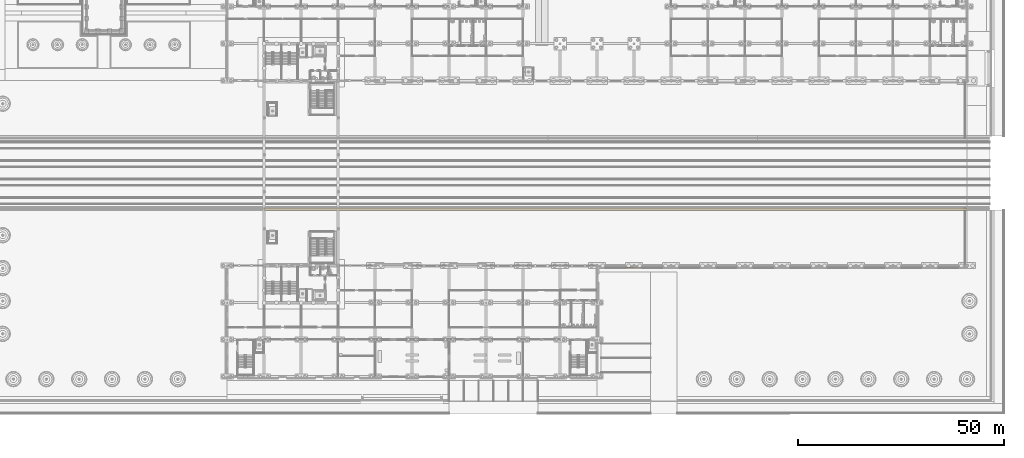
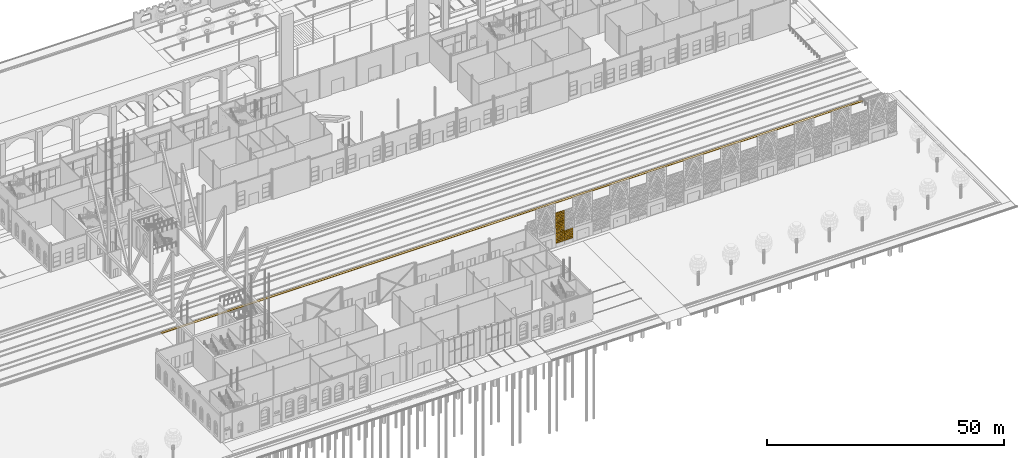
# One storey, part 187 of 250: 4 shading devices, 1 covering.
"""IFC4 building model written with IfcOpenShell, lengths in metres."""

from ifc_helpers import new_model, si_unit, direction, frame, origin, place, context, subcontext, project, spatial, polyline, outline, extrude, material, layer, layer_set, type_object, element, save


model = new_model("IFC4")

# Units and contexts
model_context = context("Model", 3, precision=1e-05, world=origin(), true_north=direction((0.0, 1.0)))
body_context = subcontext(model_context, "Body", "Model", "MODEL_VIEW")
ifc_project = project(units=[si_unit("LENGTHUNIT", "METRE"), si_unit("AREAUNIT", "SQUARE_METRE"), si_unit("VOLUMEUNIT", "CUBIC_METRE"), si_unit("PLANEANGLEUNIT", "RADIAN"), si_unit("MASSUNIT", "GRAM", prefix="KILO")], contexts=[model_context])

# Site, building, storey
site_placement = place(None, origin())
site = spatial("IfcSite", under=ifc_project, at=site_placement, CompositionType="ELEMENT")
building_placement = place(site_placement, origin())
building = spatial("IfcBuilding", under=site, at=building_placement, Name="Baradari Gate Terminus", CompositionType="ELEMENT")
storey_placement = place(building_placement, origin())
storey = spatial("IfcBuildingStorey", under=building, at=storey_placement, Name="L00", CompositionType="ELEMENT", Elevation=0.0)

# Shading devices
ifc_material_1 = material(Name="Concrete C50/60 precast", Category="concrete")
ifc_layer_1 = layer(ifc_material_1, 0.1201171875)
ifc_layer_set_1 = layer_set([ifc_layer_1], Name="Concrete C50/60 precast")
shading_device_type = type_object("IfcShadingDeviceType", Name="Jali screen panel JS-2 120", PredefinedType="SHUTTER", material=ifc_layer_set_1)
shading_device_1_placement = place(storey_placement, frame((159.89990234375, 35.52001953125, 0.89990234375), z_axis=(0.0, 0.0, 1.0), x_axis=(1.0, 0.0, 0.0)))
element("IfcShadingDevice", 1, at=shading_device_1_placement, inside=storey, type_object=shading_device_type, Name="Jali screen panel JS-2 SC00c row 1 panel 1", PredefinedType="SHUTTER", context=body_context, shape_type="SweptSolid", body=[
    extrude(outline(polyline([(0.0, 0.0), (2.10009765625, 0.0), (2.10009765625, 2.625), (0.0, 2.625), (0.0, 0.0)]), holes=[polyline([(0.340087890625, 0.21875), (0.27490234375, 0.106201171875), (0.14501953125, 0.106201171875), (0.080078125, 0.21875), (0.14501953125, 0.33154296875), (0.27490234375, 0.33154296875), (0.340087890625, 0.21875)]), polyline([(0.760009765625, 0.21875), (0.695068359375, 0.106201171875), (0.56494140625, 0.106201171875), (0.5, 0.21875), (0.56494140625, 0.33154296875), (0.695068359375, 0.33154296875), (0.760009765625, 0.21875)]), polyline([(1.179931640625, 0.21875), (1.114990234375, 0.106201171875), (0.985107421875, 0.106201171875), (0.919921875, 0.21875), (0.985107421875, 0.33154296875), (1.114990234375, 0.33154296875), (1.179931640625, 0.21875)]), polyline([(1.60009765625, 0.21875), (1.534912109375, 0.106201171875), (1.405029296875, 0.106201171875), (1.340087890625, 0.21875), (1.405029296875, 0.33154296875), (1.534912109375, 0.33154296875), (1.60009765625, 0.21875)]), polyline([(2.02001953125, 0.21875), (1.955078125, 0.106201171875), (1.824951171875, 0.106201171875), (1.760009765625, 0.21875), (1.824951171875, 0.33154296875), (1.955078125, 0.33154296875), (2.02001953125, 0.21875)]), polyline([(0.550048828125, 0.65625), (0.485107421875, 0.543701171875), (0.35498046875, 0.543701171875), (0.2900390625, 0.65625), (0.35498046875, 0.76904296875), (0.485107421875, 0.76904296875), (0.550048828125, 0.65625)]), polyline([(0.969970703125, 0.65625), (0.905029296875, 0.543701171875), (0.77490234375, 0.543701171875), (0.7099609375, 0.65625), (0.77490234375, 0.76904296875), (0.905029296875, 0.76904296875), (0.969970703125, 0.65625)]), polyline([(1.389892578125, 0.65625), (1.324951171875, 0.543701171875), (1.195068359375, 0.543701171875), (1.1298828125, 0.65625), (1.195068359375, 0.76904296875), (1.324951171875, 0.76904296875), (1.389892578125, 0.65625)]), polyline([(1.81005859375, 0.65625), (1.7451171875, 0.543701171875), (1.614990234375, 0.543701171875), (1.550048828125, 0.65625), (1.614990234375, 0.76904296875), (1.7451171875, 0.76904296875), (1.81005859375, 0.65625)]), polyline([(0.340087890625, 1.09375), (0.27490234375, 0.981201171875), (0.14501953125, 0.981201171875), (0.080078125, 1.09375), (0.14501953125, 1.20654296875), (0.27490234375, 1.20654296875), (0.340087890625, 1.09375)]), polyline([(0.760009765625, 1.09375), (0.695068359375, 0.981201171875), (0.56494140625, 0.981201171875), (0.5, 1.09375), (0.56494140625, 1.20654296875), (0.695068359375, 1.20654296875), (0.760009765625, 1.09375)]), polyline([(1.179931640625, 1.09375), (1.114990234375, 0.981201171875), (0.985107421875, 0.981201171875), (0.919921875, 1.09375), (0.985107421875, 1.20654296875), (1.114990234375, 1.20654296875), (1.179931640625, 1.09375)]), polyline([(1.60009765625, 1.09375), (1.534912109375, 0.981201171875), (1.405029296875, 0.981201171875), (1.340087890625, 1.09375), (1.405029296875, 1.20654296875), (1.534912109375, 1.20654296875), (1.60009765625, 1.09375)]), polyline([(2.02001953125, 1.09375), (1.955078125, 0.981201171875), (1.824951171875, 0.981201171875), (1.760009765625, 1.09375), (1.824951171875, 1.20654296875), (1.955078125, 1.20654296875), (2.02001953125, 1.09375)]), polyline([(0.550048828125, 1.53125), (0.485107421875, 1.418701171875), (0.35498046875, 1.418701171875), (0.2900390625, 1.53125), (0.35498046875, 1.64404296875), (0.485107421875, 1.64404296875), (0.550048828125, 1.53125)]), polyline([(0.969970703125, 1.53125), (0.905029296875, 1.418701171875), (0.77490234375, 1.418701171875), (0.7099609375, 1.53125), (0.77490234375, 1.64404296875), (0.905029296875, 1.64404296875), (0.969970703125, 1.53125)]), polyline([(1.389892578125, 1.53125), (1.324951171875, 1.418701171875), (1.195068359375, 1.418701171875), (1.1298828125, 1.53125), (1.195068359375, 1.64404296875), (1.324951171875, 1.64404296875), (1.389892578125, 1.53125)]), polyline([(1.81005859375, 1.53125), (1.7451171875, 1.418701171875), (1.614990234375, 1.418701171875), (1.550048828125, 1.53125), (1.614990234375, 1.64404296875), (1.7451171875, 1.64404296875), (1.81005859375, 1.53125)]), polyline([(0.340087890625, 1.96875), (0.27490234375, 1.856201171875), (0.14501953125, 1.856201171875), (0.080078125, 1.96875), (0.14501953125, 2.08154296875), (0.27490234375, 2.08154296875), (0.340087890625, 1.96875)]), polyline([(0.760009765625, 1.96875), (0.695068359375, 1.856201171875), (0.56494140625, 1.856201171875), (0.5, 1.96875), (0.56494140625, 2.08154296875), (0.695068359375, 2.08154296875), (0.760009765625, 1.96875)]), polyline([(1.179931640625, 1.96875), (1.114990234375, 1.856201171875), (0.985107421875, 1.856201171875), (0.919921875, 1.96875), (0.985107421875, 2.08154296875), (1.114990234375, 2.08154296875), (1.179931640625, 1.96875)]), polyline([(1.60009765625, 1.96875), (1.534912109375, 1.856201171875), (1.405029296875, 1.856201171875), (1.340087890625, 1.96875), (1.405029296875, 2.08154296875), (1.534912109375, 2.08154296875), (1.60009765625, 1.96875)]), polyline([(2.02001953125, 1.96875), (1.955078125, 1.856201171875), (1.824951171875, 1.856201171875), (1.760009765625, 1.96875), (1.824951171875, 2.08154296875), (1.955078125, 2.08154296875), (2.02001953125, 1.96875)]), polyline([(0.550048828125, 2.40625), (0.485107421875, 2.293701171875), (0.35498046875, 2.293701171875), (0.2900390625, 2.40625), (0.35498046875, 2.51904296875), (0.485107421875, 2.51904296875), (0.550048828125, 2.40625)]), polyline([(0.969970703125, 2.40625), (0.905029296875, 2.293701171875), (0.77490234375, 2.293701171875), (0.7099609375, 2.40625), (0.77490234375, 2.51904296875), (0.905029296875, 2.51904296875), (0.969970703125, 2.40625)]), polyline([(1.389892578125, 2.40625), (1.324951171875, 2.293701171875), (1.195068359375, 2.293701171875), (1.1298828125, 2.40625), (1.195068359375, 2.51904296875), (1.324951171875, 2.51904296875), (1.389892578125, 2.40625)]), polyline([(1.81005859375, 2.40625), (1.7451171875, 2.293701171875), (1.614990234375, 2.293701171875), (1.550048828125, 2.40625), (1.614990234375, 2.51904296875), (1.7451171875, 2.51904296875), (1.81005859375, 2.40625)])]), frame((0.0, 0.06005859375, 0.0), z_axis=(0.0, -1.0, 0.0), x_axis=(1.0, 0.0, 0.0)), (0.0, 0.0, 1.0), 0.1201171875),
])
shading_device_2_placement = place(storey_placement, frame((159.89990234375, 35.52001953125, 3.52490234375), z_axis=(0.0, 0.0, 1.0), x_axis=(1.0, 0.0, 0.0)))
element("IfcShadingDevice", 2, at=shading_device_2_placement, inside=storey, type_object=shading_device_type, Name="Jali screen panel JS-2 SC00c row 2 panel 1", PredefinedType="SHUTTER", context=body_context, shape_type="SweptSolid", body=[
    extrude(outline(polyline([(0.0, 0.0), (2.10009765625, 0.0), (2.10009765625, 2.625), (0.0, 2.625), (0.0, 0.0)]), holes=[polyline([(0.340087890625, 0.21875), (0.27490234375, 0.106201171875), (0.14501953125, 0.106201171875), (0.080078125, 0.21875), (0.14501953125, 0.33154296875), (0.27490234375, 0.33154296875), (0.340087890625, 0.21875)]), polyline([(0.760009765625, 0.21875), (0.695068359375, 0.106201171875), (0.56494140625, 0.106201171875), (0.5, 0.21875), (0.56494140625, 0.33154296875), (0.695068359375, 0.33154296875), (0.760009765625, 0.21875)]), polyline([(1.179931640625, 0.21875), (1.114990234375, 0.106201171875), (0.985107421875, 0.106201171875), (0.919921875, 0.21875), (0.985107421875, 0.33154296875), (1.114990234375, 0.33154296875), (1.179931640625, 0.21875)]), polyline([(1.60009765625, 0.21875), (1.534912109375, 0.106201171875), (1.405029296875, 0.106201171875), (1.340087890625, 0.21875), (1.405029296875, 0.33154296875), (1.534912109375, 0.33154296875), (1.60009765625, 0.21875)]), polyline([(2.02001953125, 0.21875), (1.955078125, 0.106201171875), (1.824951171875, 0.106201171875), (1.760009765625, 0.21875), (1.824951171875, 0.33154296875), (1.955078125, 0.33154296875), (2.02001953125, 0.21875)]), polyline([(0.550048828125, 0.65625), (0.485107421875, 0.543701171875), (0.35498046875, 0.543701171875), (0.2900390625, 0.65625), (0.35498046875, 0.76904296875), (0.485107421875, 0.76904296875), (0.550048828125, 0.65625)]), polyline([(0.969970703125, 0.65625), (0.905029296875, 0.543701171875), (0.77490234375, 0.543701171875), (0.7099609375, 0.65625), (0.77490234375, 0.76904296875), (0.905029296875, 0.76904296875), (0.969970703125, 0.65625)]), polyline([(1.389892578125, 0.65625), (1.324951171875, 0.543701171875), (1.195068359375, 0.543701171875), (1.1298828125, 0.65625), (1.195068359375, 0.76904296875), (1.324951171875, 0.76904296875), (1.389892578125, 0.65625)]), polyline([(1.81005859375, 0.65625), (1.7451171875, 0.543701171875), (1.614990234375, 0.543701171875), (1.550048828125, 0.65625), (1.614990234375, 0.76904296875), (1.7451171875, 0.76904296875), (1.81005859375, 0.65625)]), polyline([(0.340087890625, 1.09375), (0.27490234375, 0.981201171875), (0.14501953125, 0.981201171875), (0.080078125, 1.09375), (0.14501953125, 1.20654296875), (0.27490234375, 1.20654296875), (0.340087890625, 1.09375)]), polyline([(0.760009765625, 1.09375), (0.695068359375, 0.981201171875), (0.56494140625, 0.981201171875), (0.5, 1.09375), (0.56494140625, 1.20654296875), (0.695068359375, 1.20654296875), (0.760009765625, 1.09375)]), polyline([(1.179931640625, 1.09375), (1.114990234375, 0.981201171875), (0.985107421875, 0.981201171875), (0.919921875, 1.09375), (0.985107421875, 1.20654296875), (1.114990234375, 1.20654296875), (1.179931640625, 1.09375)]), polyline([(1.60009765625, 1.09375), (1.534912109375, 0.981201171875), (1.405029296875, 0.981201171875), (1.340087890625, 1.09375), (1.405029296875, 1.20654296875), (1.534912109375, 1.20654296875), (1.60009765625, 1.09375)]), polyline([(2.02001953125, 1.09375), (1.955078125, 0.981201171875), (1.824951171875, 0.981201171875), (1.760009765625, 1.09375), (1.824951171875, 1.20654296875), (1.955078125, 1.20654296875), (2.02001953125, 1.09375)]), polyline([(0.550048828125, 1.53125), (0.485107421875, 1.418701171875), (0.35498046875, 1.418701171875), (0.2900390625, 1.53125), (0.35498046875, 1.64404296875), (0.485107421875, 1.64404296875), (0.550048828125, 1.53125)]), polyline([(0.969970703125, 1.53125), (0.905029296875, 1.418701171875), (0.77490234375, 1.418701171875), (0.7099609375, 1.53125), (0.77490234375, 1.64404296875), (0.905029296875, 1.64404296875), (0.969970703125, 1.53125)]), polyline([(1.389892578125, 1.53125), (1.324951171875, 1.418701171875), (1.195068359375, 1.418701171875), (1.1298828125, 1.53125), (1.195068359375, 1.64404296875), (1.324951171875, 1.64404296875), (1.389892578125, 1.53125)]), polyline([(1.81005859375, 1.53125), (1.7451171875, 1.418701171875), (1.614990234375, 1.418701171875), (1.550048828125, 1.53125), (1.614990234375, 1.64404296875), (1.7451171875, 1.64404296875), (1.81005859375, 1.53125)]), polyline([(0.340087890625, 1.96875), (0.27490234375, 1.856201171875), (0.14501953125, 1.856201171875), (0.080078125, 1.96875), (0.14501953125, 2.08154296875), (0.27490234375, 2.08154296875), (0.340087890625, 1.96875)]), polyline([(0.760009765625, 1.96875), (0.695068359375, 1.856201171875), (0.56494140625, 1.856201171875), (0.5, 1.96875), (0.56494140625, 2.08154296875), (0.695068359375, 2.08154296875), (0.760009765625, 1.96875)]), polyline([(1.179931640625, 1.96875), (1.114990234375, 1.856201171875), (0.985107421875, 1.856201171875), (0.919921875, 1.96875), (0.985107421875, 2.08154296875), (1.114990234375, 2.08154296875), (1.179931640625, 1.96875)]), polyline([(1.60009765625, 1.96875), (1.534912109375, 1.856201171875), (1.405029296875, 1.856201171875), (1.340087890625, 1.96875), (1.405029296875, 2.08154296875), (1.534912109375, 2.08154296875), (1.60009765625, 1.96875)]), polyline([(2.02001953125, 1.96875), (1.955078125, 1.856201171875), (1.824951171875, 1.856201171875), (1.760009765625, 1.96875), (1.824951171875, 2.08154296875), (1.955078125, 2.08154296875), (2.02001953125, 1.96875)]), polyline([(0.550048828125, 2.40625), (0.485107421875, 2.293701171875), (0.35498046875, 2.293701171875), (0.2900390625, 2.40625), (0.35498046875, 2.51904296875), (0.485107421875, 2.51904296875), (0.550048828125, 2.40625)]), polyline([(0.969970703125, 2.40625), (0.905029296875, 2.293701171875), (0.77490234375, 2.293701171875), (0.7099609375, 2.40625), (0.77490234375, 2.51904296875), (0.905029296875, 2.51904296875), (0.969970703125, 2.40625)]), polyline([(1.389892578125, 2.40625), (1.324951171875, 2.293701171875), (1.195068359375, 2.293701171875), (1.1298828125, 2.40625), (1.195068359375, 2.51904296875), (1.324951171875, 2.51904296875), (1.389892578125, 2.40625)]), polyline([(1.81005859375, 2.40625), (1.7451171875, 2.293701171875), (1.614990234375, 2.293701171875), (1.550048828125, 2.40625), (1.614990234375, 2.51904296875), (1.7451171875, 2.51904296875), (1.81005859375, 2.40625)])]), frame((0.0, 0.06005859375, 0.0), z_axis=(0.0, -1.0, 0.0), x_axis=(1.0, 0.0, 0.0)), (0.0, 0.0, 1.0), 0.1201171875),
])
shading_device_3_placement = place(storey_placement, frame((159.89990234375, 35.52001953125, 6.14990234375), z_axis=(0.0, 0.0, 1.0), x_axis=(1.0, 0.0, 0.0)))
element("IfcShadingDevice", 3, at=shading_device_3_placement, inside=storey, type_object=shading_device_type, Name="Jali screen panel JS-2 SC00c row 3 panel 1", PredefinedType="SHUTTER", context=body_context, shape_type="SweptSolid", body=[
    extrude(outline(polyline([(0.0, 0.0), (2.10009765625, 0.0), (2.10009765625, 2.625), (0.0, 2.625), (0.0, 0.0)]), holes=[polyline([(0.340087890625, 0.21875), (0.27490234375, 0.106201171875), (0.14501953125, 0.106201171875), (0.080078125, 0.21875), (0.14501953125, 0.33154296875), (0.27490234375, 0.33154296875), (0.340087890625, 0.21875)]), polyline([(0.760009765625, 0.21875), (0.695068359375, 0.106201171875), (0.56494140625, 0.106201171875), (0.5, 0.21875), (0.56494140625, 0.33154296875), (0.695068359375, 0.33154296875), (0.760009765625, 0.21875)]), polyline([(1.179931640625, 0.21875), (1.114990234375, 0.106201171875), (0.985107421875, 0.106201171875), (0.919921875, 0.21875), (0.985107421875, 0.33154296875), (1.114990234375, 0.33154296875), (1.179931640625, 0.21875)]), polyline([(1.60009765625, 0.21875), (1.534912109375, 0.106201171875), (1.405029296875, 0.106201171875), (1.340087890625, 0.21875), (1.405029296875, 0.33154296875), (1.534912109375, 0.33154296875), (1.60009765625, 0.21875)]), polyline([(2.02001953125, 0.21875), (1.955078125, 0.106201171875), (1.824951171875, 0.106201171875), (1.760009765625, 0.21875), (1.824951171875, 0.33154296875), (1.955078125, 0.33154296875), (2.02001953125, 0.21875)]), polyline([(0.550048828125, 0.65625), (0.485107421875, 0.543701171875), (0.35498046875, 0.543701171875), (0.2900390625, 0.65625), (0.35498046875, 0.76904296875), (0.485107421875, 0.76904296875), (0.550048828125, 0.65625)]), polyline([(0.969970703125, 0.65625), (0.905029296875, 0.543701171875), (0.77490234375, 0.543701171875), (0.7099609375, 0.65625), (0.77490234375, 0.76904296875), (0.905029296875, 0.76904296875), (0.969970703125, 0.65625)]), polyline([(1.389892578125, 0.65625), (1.324951171875, 0.543701171875), (1.195068359375, 0.543701171875), (1.1298828125, 0.65625), (1.195068359375, 0.76904296875), (1.324951171875, 0.76904296875), (1.389892578125, 0.65625)]), polyline([(1.81005859375, 0.65625), (1.7451171875, 0.543701171875), (1.614990234375, 0.543701171875), (1.550048828125, 0.65625), (1.614990234375, 0.76904296875), (1.7451171875, 0.76904296875), (1.81005859375, 0.65625)]), polyline([(0.340087890625, 1.09375), (0.27490234375, 0.981201171875), (0.14501953125, 0.981201171875), (0.080078125, 1.09375), (0.14501953125, 1.20654296875), (0.27490234375, 1.20654296875), (0.340087890625, 1.09375)]), polyline([(0.760009765625, 1.09375), (0.695068359375, 0.981201171875), (0.56494140625, 0.981201171875), (0.5, 1.09375), (0.56494140625, 1.20654296875), (0.695068359375, 1.20654296875), (0.760009765625, 1.09375)]), polyline([(1.179931640625, 1.09375), (1.114990234375, 0.981201171875), (0.985107421875, 0.981201171875), (0.919921875, 1.09375), (0.985107421875, 1.20654296875), (1.114990234375, 1.20654296875), (1.179931640625, 1.09375)]), polyline([(1.60009765625, 1.09375), (1.534912109375, 0.981201171875), (1.405029296875, 0.981201171875), (1.340087890625, 1.09375), (1.405029296875, 1.20654296875), (1.534912109375, 1.20654296875), (1.60009765625, 1.09375)]), polyline([(2.02001953125, 1.09375), (1.955078125, 0.981201171875), (1.824951171875, 0.981201171875), (1.760009765625, 1.09375), (1.824951171875, 1.20654296875), (1.955078125, 1.20654296875), (2.02001953125, 1.09375)]), polyline([(0.550048828125, 1.53125), (0.485107421875, 1.418701171875), (0.35498046875, 1.418701171875), (0.2900390625, 1.53125), (0.35498046875, 1.64404296875), (0.485107421875, 1.64404296875), (0.550048828125, 1.53125)]), polyline([(0.969970703125, 1.53125), (0.905029296875, 1.418701171875), (0.77490234375, 1.418701171875), (0.7099609375, 1.53125), (0.77490234375, 1.64404296875), (0.905029296875, 1.64404296875), (0.969970703125, 1.53125)]), polyline([(1.389892578125, 1.53125), (1.324951171875, 1.418701171875), (1.195068359375, 1.418701171875), (1.1298828125, 1.53125), (1.195068359375, 1.64404296875), (1.324951171875, 1.64404296875), (1.389892578125, 1.53125)]), polyline([(1.81005859375, 1.53125), (1.7451171875, 1.418701171875), (1.614990234375, 1.418701171875), (1.550048828125, 1.53125), (1.614990234375, 1.64404296875), (1.7451171875, 1.64404296875), (1.81005859375, 1.53125)]), polyline([(0.340087890625, 1.96875), (0.27490234375, 1.856201171875), (0.14501953125, 1.856201171875), (0.080078125, 1.96875), (0.14501953125, 2.08154296875), (0.27490234375, 2.08154296875), (0.340087890625, 1.96875)]), polyline([(0.760009765625, 1.96875), (0.695068359375, 1.856201171875), (0.56494140625, 1.856201171875), (0.5, 1.96875), (0.56494140625, 2.08154296875), (0.695068359375, 2.08154296875), (0.760009765625, 1.96875)]), polyline([(1.179931640625, 1.96875), (1.114990234375, 1.856201171875), (0.985107421875, 1.856201171875), (0.919921875, 1.96875), (0.985107421875, 2.08154296875), (1.114990234375, 2.08154296875), (1.179931640625, 1.96875)]), polyline([(1.60009765625, 1.96875), (1.534912109375, 1.856201171875), (1.405029296875, 1.856201171875), (1.340087890625, 1.96875), (1.405029296875, 2.08154296875), (1.534912109375, 2.08154296875), (1.60009765625, 1.96875)]), polyline([(2.02001953125, 1.96875), (1.955078125, 1.856201171875), (1.824951171875, 1.856201171875), (1.760009765625, 1.96875), (1.824951171875, 2.08154296875), (1.955078125, 2.08154296875), (2.02001953125, 1.96875)]), polyline([(0.550048828125, 2.40625), (0.485107421875, 2.293701171875), (0.35498046875, 2.293701171875), (0.2900390625, 2.40625), (0.35498046875, 2.51904296875), (0.485107421875, 2.51904296875), (0.550048828125, 2.40625)]), polyline([(0.969970703125, 2.40625), (0.905029296875, 2.293701171875), (0.77490234375, 2.293701171875), (0.7099609375, 2.40625), (0.77490234375, 2.51904296875), (0.905029296875, 2.51904296875), (0.969970703125, 2.40625)]), polyline([(1.389892578125, 2.40625), (1.324951171875, 2.293701171875), (1.195068359375, 2.293701171875), (1.1298828125, 2.40625), (1.195068359375, 2.51904296875), (1.324951171875, 2.51904296875), (1.389892578125, 2.40625)]), polyline([(1.81005859375, 2.40625), (1.7451171875, 2.293701171875), (1.614990234375, 2.293701171875), (1.550048828125, 2.40625), (1.614990234375, 2.51904296875), (1.7451171875, 2.51904296875), (1.81005859375, 2.40625)])]), frame((0.0, 0.06005859375, 0.0), z_axis=(0.0, -1.0, 0.0), x_axis=(1.0, 0.0, 0.0)), (0.0, 0.0, 1.0), 0.1201171875),
])
shading_device_4_placement = place(storey_placement, frame((162.0, 35.52001953125, 0.89990234375), z_axis=(0.0, 0.0, 1.0), x_axis=(1.0, 0.0, 0.0)))
element("IfcShadingDevice", 4, at=shading_device_4_placement, inside=storey, type_object=shading_device_type, Name="Jali screen panel JS-2 SC01a row 1 panel 1", PredefinedType="SHUTTER", context=body_context, shape_type="SweptSolid", body=[
    extrude(outline(polyline([(0.0, 0.0), (2.10009765625, 0.0), (2.10009765625, 2.625), (0.0, 2.625), (0.0, 0.0)]), holes=[polyline([(0.340087890625, 0.21875), (0.27490234375, 0.106201171875), (0.14501953125, 0.106201171875), (0.080078125, 0.21875), (0.14501953125, 0.33154296875), (0.27490234375, 0.33154296875), (0.340087890625, 0.21875)]), polyline([(0.760009765625, 0.21875), (0.695068359375, 0.106201171875), (0.56494140625, 0.106201171875), (0.5, 0.21875), (0.56494140625, 0.33154296875), (0.695068359375, 0.33154296875), (0.760009765625, 0.21875)]), polyline([(1.179931640625, 0.21875), (1.114990234375, 0.106201171875), (0.985107421875, 0.106201171875), (0.919921875, 0.21875), (0.985107421875, 0.33154296875), (1.114990234375, 0.33154296875), (1.179931640625, 0.21875)]), polyline([(1.60009765625, 0.21875), (1.534912109375, 0.106201171875), (1.405029296875, 0.106201171875), (1.340087890625, 0.21875), (1.405029296875, 0.33154296875), (1.534912109375, 0.33154296875), (1.60009765625, 0.21875)]), polyline([(2.02001953125, 0.21875), (1.955078125, 0.106201171875), (1.824951171875, 0.106201171875), (1.760009765625, 0.21875), (1.824951171875, 0.33154296875), (1.955078125, 0.33154296875), (2.02001953125, 0.21875)]), polyline([(0.550048828125, 0.65625), (0.485107421875, 0.543701171875), (0.35498046875, 0.543701171875), (0.2900390625, 0.65625), (0.35498046875, 0.76904296875), (0.485107421875, 0.76904296875), (0.550048828125, 0.65625)]), polyline([(0.969970703125, 0.65625), (0.905029296875, 0.543701171875), (0.77490234375, 0.543701171875), (0.7099609375, 0.65625), (0.77490234375, 0.76904296875), (0.905029296875, 0.76904296875), (0.969970703125, 0.65625)]), polyline([(1.389892578125, 0.65625), (1.324951171875, 0.543701171875), (1.195068359375, 0.543701171875), (1.1298828125, 0.65625), (1.195068359375, 0.76904296875), (1.324951171875, 0.76904296875), (1.389892578125, 0.65625)]), polyline([(1.81005859375, 0.65625), (1.7451171875, 0.543701171875), (1.614990234375, 0.543701171875), (1.550048828125, 0.65625), (1.614990234375, 0.76904296875), (1.7451171875, 0.76904296875), (1.81005859375, 0.65625)]), polyline([(0.340087890625, 1.09375), (0.27490234375, 0.981201171875), (0.14501953125, 0.981201171875), (0.080078125, 1.09375), (0.14501953125, 1.20654296875), (0.27490234375, 1.20654296875), (0.340087890625, 1.09375)]), polyline([(0.760009765625, 1.09375), (0.695068359375, 0.981201171875), (0.56494140625, 0.981201171875), (0.5, 1.09375), (0.56494140625, 1.20654296875), (0.695068359375, 1.20654296875), (0.760009765625, 1.09375)]), polyline([(1.179931640625, 1.09375), (1.114990234375, 0.981201171875), (0.985107421875, 0.981201171875), (0.919921875, 1.09375), (0.985107421875, 1.20654296875), (1.114990234375, 1.20654296875), (1.179931640625, 1.09375)]), polyline([(1.60009765625, 1.09375), (1.534912109375, 0.981201171875), (1.405029296875, 0.981201171875), (1.340087890625, 1.09375), (1.405029296875, 1.20654296875), (1.534912109375, 1.20654296875), (1.60009765625, 1.09375)]), polyline([(2.02001953125, 1.09375), (1.955078125, 0.981201171875), (1.824951171875, 0.981201171875), (1.760009765625, 1.09375), (1.824951171875, 1.20654296875), (1.955078125, 1.20654296875), (2.02001953125, 1.09375)]), polyline([(0.550048828125, 1.53125), (0.485107421875, 1.418701171875), (0.35498046875, 1.418701171875), (0.2900390625, 1.53125), (0.35498046875, 1.64404296875), (0.485107421875, 1.64404296875), (0.550048828125, 1.53125)]), polyline([(0.969970703125, 1.53125), (0.905029296875, 1.418701171875), (0.77490234375, 1.418701171875), (0.7099609375, 1.53125), (0.77490234375, 1.64404296875), (0.905029296875, 1.64404296875), (0.969970703125, 1.53125)]), polyline([(1.389892578125, 1.53125), (1.324951171875, 1.418701171875), (1.195068359375, 1.418701171875), (1.1298828125, 1.53125), (1.195068359375, 1.64404296875), (1.324951171875, 1.64404296875), (1.389892578125, 1.53125)]), polyline([(1.81005859375, 1.53125), (1.7451171875, 1.418701171875), (1.614990234375, 1.418701171875), (1.550048828125, 1.53125), (1.614990234375, 1.64404296875), (1.7451171875, 1.64404296875), (1.81005859375, 1.53125)]), polyline([(0.340087890625, 1.96875), (0.27490234375, 1.856201171875), (0.14501953125, 1.856201171875), (0.080078125, 1.96875), (0.14501953125, 2.08154296875), (0.27490234375, 2.08154296875), (0.340087890625, 1.96875)]), polyline([(0.760009765625, 1.96875), (0.695068359375, 1.856201171875), (0.56494140625, 1.856201171875), (0.5, 1.96875), (0.56494140625, 2.08154296875), (0.695068359375, 2.08154296875), (0.760009765625, 1.96875)]), polyline([(1.179931640625, 1.96875), (1.114990234375, 1.856201171875), (0.985107421875, 1.856201171875), (0.919921875, 1.96875), (0.985107421875, 2.08154296875), (1.114990234375, 2.08154296875), (1.179931640625, 1.96875)]), polyline([(1.60009765625, 1.96875), (1.534912109375, 1.856201171875), (1.405029296875, 1.856201171875), (1.340087890625, 1.96875), (1.405029296875, 2.08154296875), (1.534912109375, 2.08154296875), (1.60009765625, 1.96875)]), polyline([(2.02001953125, 1.96875), (1.955078125, 1.856201171875), (1.824951171875, 1.856201171875), (1.760009765625, 1.96875), (1.824951171875, 2.08154296875), (1.955078125, 2.08154296875), (2.02001953125, 1.96875)]), polyline([(0.550048828125, 2.40625), (0.485107421875, 2.293701171875), (0.35498046875, 2.293701171875), (0.2900390625, 2.40625), (0.35498046875, 2.51904296875), (0.485107421875, 2.51904296875), (0.550048828125, 2.40625)]), polyline([(0.969970703125, 2.40625), (0.905029296875, 2.293701171875), (0.77490234375, 2.293701171875), (0.7099609375, 2.40625), (0.77490234375, 2.51904296875), (0.905029296875, 2.51904296875), (0.969970703125, 2.40625)]), polyline([(1.389892578125, 2.40625), (1.324951171875, 2.293701171875), (1.195068359375, 2.293701171875), (1.1298828125, 2.40625), (1.195068359375, 2.51904296875), (1.324951171875, 2.51904296875), (1.389892578125, 2.40625)]), polyline([(1.81005859375, 2.40625), (1.7451171875, 2.293701171875), (1.614990234375, 2.293701171875), (1.550048828125, 2.40625), (1.614990234375, 2.51904296875), (1.7451171875, 2.51904296875), (1.81005859375, 2.40625)])]), frame((0.0, 0.06005859375, 0.0), z_axis=(0.0, -1.0, 0.0), x_axis=(1.0, 0.0, 0.0)), (0.0, 0.0, 1.0), 0.1201171875),
])

# Covering
ifc_material_2 = material(Name="Concrete tactile paving, light grey", Category="concrete")
ifc_layer_2 = layer(ifc_material_2, 0.010009765625)
ifc_layer_set_2 = layer_set([ifc_layer_2], Name="Concrete tactile paving, light grey")
covering_type = type_object("IfcCoveringType", Name="Tactile warning paving TAC-1 10", PredefinedType="FLOORING", material=ifc_layer_set_2)
covering_placement = place(storey_placement, origin())
element("IfcCovering", 5, at=covering_placement, inside=storey, type_object=covering_type, Name="Tactile warning paving, platform 1", PredefinedType="FLOORING", context=body_context, shape_type="SweptSolid", body=[
    extrude(outline(polyline([(243.0, 49.449951171875), (243.0, 50.050048828125), (72.0, 50.050048828125), (72.0, 49.449951171875), (243.0, 49.449951171875)])), origin(), (0.0, 0.0, 1.0), 0.010009765625),
])

save(model, "model.ifc")
